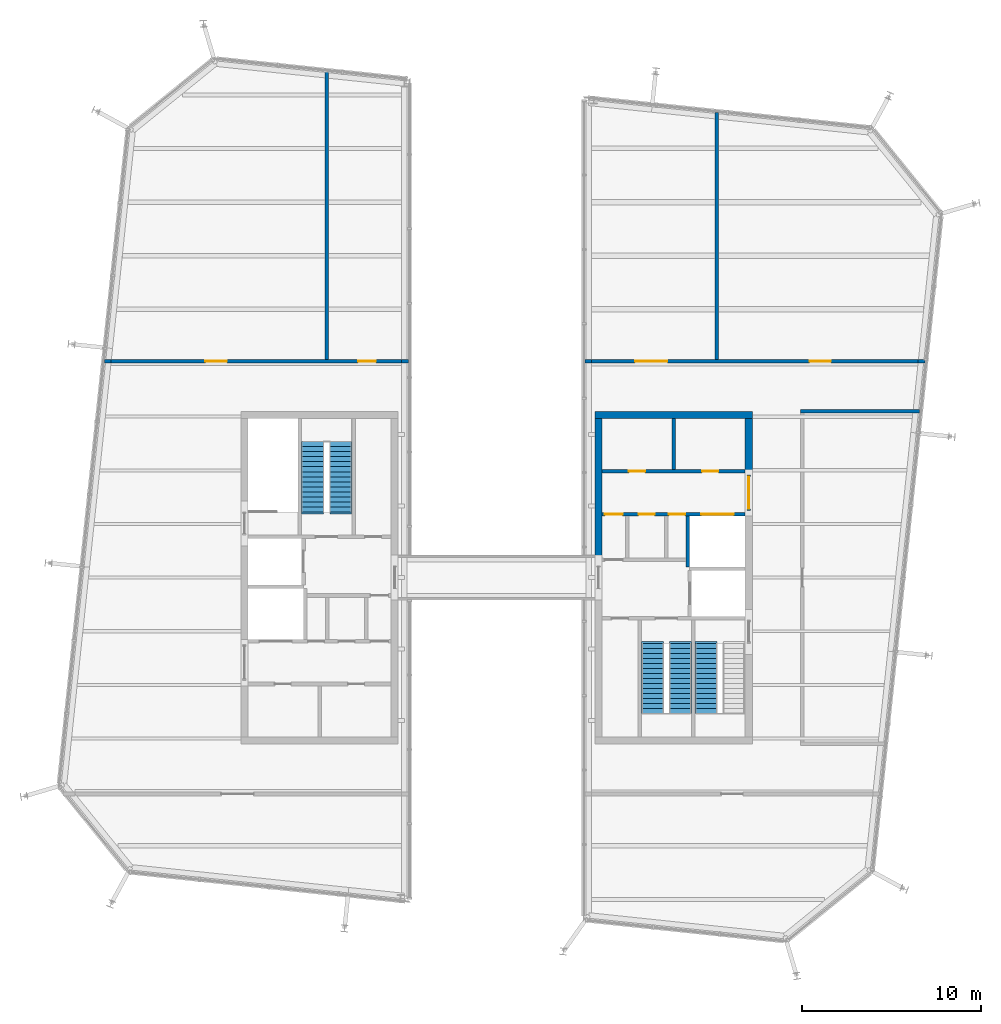
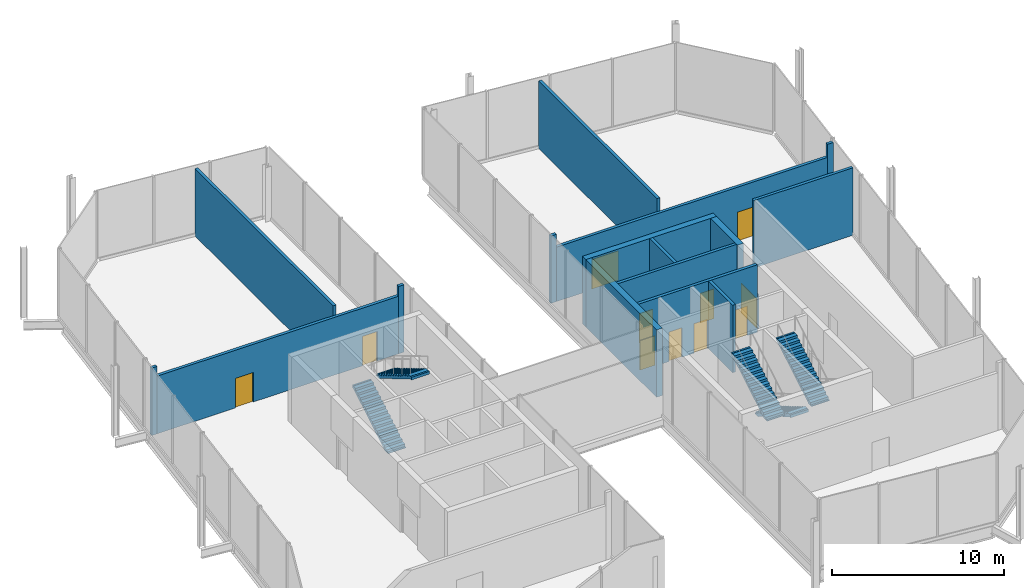
# One storey, part 10 of 12: 17 walls, 11 doors, 5 stair flights, 11 openings, 3 elements without a shape of their own.
"""IFC4 building model written with IfcOpenShell, lengths in metres."""

from ifc_helpers import new_model, si_unit, direction, frame, frame_2d, origin, place, context, subcontext, project, spatial, polyline, rectangle, outline, extrude, material, layer, layer_set, type_object, element, fill, aggregate, save


model = new_model("IFC4")

# Units and contexts
model_context = context("Model", 3, precision=1e-05, world=origin(), true_north=direction((0.0, 1.0)))
body_context = subcontext(model_context, "Body", "Model", "MODEL_VIEW")
ifc_project = project(units=[si_unit("LENGTHUNIT", "METRE"), si_unit("AREAUNIT", "SQUARE_METRE"), si_unit("VOLUMEUNIT", "CUBIC_METRE"), si_unit("PLANEANGLEUNIT", "RADIAN"), si_unit("MASSUNIT", "GRAM", prefix="KILO")], contexts=[model_context])

# Site, building, storey
site_placement = place(None, origin())
site = spatial("IfcSite", under=ifc_project, at=site_placement, CompositionType="ELEMENT")
building_placement = place(site_placement, origin())
building = spatial("IfcBuilding", under=site, at=building_placement, Name="Millrace Tower", CompositionType="ELEMENT")
storey_placement = place(building_placement, frame((0.0, 0.0, 347.10009765625)))
storey = spatial("IfcBuildingStorey", under=building, at=storey_placement, Name="L80", CompositionType="ELEMENT", Elevation=347.10009765625)

# Walls
ifc_material_1 = material(Name="Concrete C60", Category="concrete")
ifc_layer_1 = layer(ifc_material_1, 0.39990234375)
ifc_layer_set_1 = layer_set([ifc_layer_1], Name="Concrete C60")
wall_type_1 = type_object("IfcWallType", Name="Core wall 400 Concrete C60", PredefinedType="SHEAR", material=ifc_layer_set_1)
wall_1_placement = place(storey_placement, frame((14.300048828125, 9.10009765625, 0.0), z_axis=(0.0, 0.0, 1.0), x_axis=(-1.0, 0.0, 0.0)))
element("IfcWall", 1, at=wall_1_placement, inside=storey, type_object=wall_type_1, Name="Core wall E L80", PredefinedType="SHEAR", context=body_context, shape_type="SweptSolid", body=[
    extrude(rectangle(XDim=8.800048828125, YDim=0.39990234375, at=frame_2d((4.39990234375, 0.0))), origin(), (0.0, 0.0, 1.0), 4.7998046875),
])
wall_2_placement = place(storey_placement, frame((14.10009765625, 8.89990234375, 0.0), z_axis=(0.0, 0.0, 1.0), x_axis=(0.0, -1.0, 0.0)))
element("IfcWall", 2, at=wall_2_placement, inside=storey, type_object=wall_type_1, Name="Core wall E L80", PredefinedType="SHEAR", context=body_context, shape_type="SweptSolid", body=[
    extrude(rectangle(XDim=3.14990234375, YDim=0.39990234375, at=frame_2d((1.574951171875, 0.0))), origin(), (0.0, 0.0, 1.0), 4.7998046875),
])
wall_3_placement = place(storey_placement, frame((5.699951171875, 8.89990234375, 0.0), z_axis=(0.0, 0.0, 1.0), x_axis=(0.0, -1.0, 0.0)))
element("IfcWall", 3, at=wall_3_placement, inside=storey, type_object=wall_type_1, Name="Core wall E L80", PredefinedType="SHEAR", context=body_context, shape_type="SweptSolid", body=[
    extrude(rectangle(XDim=8.25, YDim=0.39990234375, at=frame_2d((4.125, 0.0))), origin(), (0.0, 0.0, 1.0), 4.7998046875),
])
ifc_material_2 = material(Name="Masonry partition, fire-rated", Category="masonry")
ifc_layer_2 = layer(ifc_material_2, 0.199951171875)
ifc_layer_set_2 = layer_set([ifc_layer_2], Name="Masonry partition, fire-rated")
wall_type_2 = type_object("IfcWallType", Name="Corridor wall 200", PredefinedType="PARTITIONING", material=ifc_layer_set_2)
wall_4_placement = place(storey_placement, frame((17.0, 9.300048828125, 0.0), z_axis=(0.0, 0.0, 1.0), x_axis=(1.0, 0.0, 0.0)))
element("IfcWall", 4, at=wall_4_placement, inside=storey, type_object=wall_type_2, Name="Corridor wall L80", PredefinedType="PARTITIONING", context=body_context, shape_type="SweptSolid", body=[
    extrude(rectangle(XDim=6.656005859375, YDim=0.199951171875, at=frame_2d((3.328125, 0.0))), origin(), (0.0, 0.0, 1.0), 4.7998046875),
])
wall_5_placement = place(storey_placement, frame((-21.921142578125, 12.10009765625, 0.0), z_axis=(0.0, 0.0, 1.0), x_axis=(1.0, 0.0, 0.0)))
element("IfcWall", 5, at=wall_5_placement, inside=storey, type_object=wall_type_2, Name="Corridor wall L80", PredefinedType="PARTITIONING", context=body_context, shape_type="SweptSolid", body=[
    extrude(rectangle(XDim=0.35888671875, YDim=0.199951171875, at=frame_2d((0.179443359375, 0.0))), origin(), (0.0, 0.0, 1.0), 4.7998046875),
])

# Wall, openings, doors
wall_6_placement = place(storey_placement, frame((-21.562255859375, 12.10009765625, 0.0), z_axis=(0.0, 0.0, 1.0), x_axis=(1.0, 0.0, 0.0)))
wall_6 = element("IfcWall", 6, at=wall_6_placement, inside=storey, type_object=wall_type_2, Name="Corridor wall L80", PredefinedType="PARTITIONING", context=body_context, shape_type="SweptSolid", body=[
    extrude(rectangle(XDim=16.2548828125, YDim=0.199951171875, at=frame_2d((8.12744140625, 0.0))), origin(), (0.0, 0.0, 1.0), 4.1064453125),
])
opening_1_placement = place(wall_6_placement, frame((5.27685546875, 0.0, 0.0)))
opening_1 = element("IfcOpeningElement", 7, at=opening_1_placement, cuts=wall_6, Name="Opening 80-P001", PredefinedType="OPENING", context=body_context, shape_type="SweptSolid", body=[
    extrude(rectangle(XDim=1.199951171875, YDim=2.10009765625, at=frame_2d((0.60009765625, 1.050048828125))), frame((0.0, 0.10986328125, 0.0), z_axis=(0.0, -1.0, 0.0), x_axis=(1.0, 0.0, 0.0)), (0.0, 0.0, 1.0), 0.219970703125),
])
opening_2_placement = place(wall_6_placement, frame((13.817138671875, 0.0, 0.0)))
opening_2 = element("IfcOpeningElement", 8, at=opening_2_placement, cuts=wall_6, Name="Opening 80-P002", PredefinedType="OPENING", context=body_context, shape_type="SweptSolid", body=[
    extrude(rectangle(XDim=1.0, YDim=2.10009765625, at=frame_2d((0.5, 1.050048828125))), frame((0.0, 0.10986328125, 0.0), z_axis=(0.0, -1.0, 0.0), x_axis=(1.0, 0.0, 0.0)), (0.0, 0.0, 1.0), 0.219970703125),
])
ifc_material_3 = material(Name="Steel door set, fire-rated", Category="steel")
door_type_1 = type_object("IfcDoorType", Name="Corridor door 1000 x 2100", OperationType="SINGLE_SWING_LEFT", PredefinedType="DOOR", material=ifc_material_3)
door_1_placement = place(opening_2_placement, origin())
door_1 = element("IfcDoor", 9, at=door_1_placement, inside=storey, type_object=door_type_1, Name="Door 80-P002", OperationType="SINGLE_SWING_RIGHT", OverallHeight=2.10009765625, OverallWidth=1.0, PredefinedType="DOOR", context=body_context, shape_type="SweptSolid", body=[
    extrude(rectangle(XDim=1.0, YDim=2.10009765625, at=frame_2d((0.5, 1.050048828125))), frame((0.0, 0.02490234375, 0.0), z_axis=(0.0, -1.0, 0.0), x_axis=(1.0, 0.0, 0.0)), (0.0, 0.0, 1.0), 0.050048828125),
])
fill(opening_2, door_1)
ifc_material_4 = material(Name="Steel door set, fire-rated", Category="steel")
door_type_2 = type_object("IfcDoorType", Name="Plant room door 1200 x 2100", OperationType="SINGLE_SWING_LEFT", PredefinedType="DOOR", material=ifc_material_4)
door_2_placement = place(opening_1_placement, origin())
door_2 = element("IfcDoor", 10, at=door_2_placement, inside=storey, type_object=door_type_2, Name="Door 80-P001", OperationType="SINGLE_SWING_LEFT", OverallHeight=2.10009765625, OverallWidth=1.199951171875, PredefinedType="DOOR", context=body_context, shape_type="SweptSolid", body=[
    extrude(rectangle(XDim=1.199951171875, YDim=2.10009765625, at=frame_2d((0.60009765625, 1.050048828125))), frame((0.0, 0.02490234375, 0.0), z_axis=(0.0, -1.0, 0.0), x_axis=(1.0, 0.0, 0.0)), (0.0, 0.0, 1.0), 0.050048828125),
])
fill(opening_1, door_2)

# Walls
for number, where, z_axis, x_axis, name in (
    (11, (-5.307373046875, 12.10009765625, 0.0), (0.0, 0.0, 1.0), (1.0, 0.0, 0.0), "Corridor wall L80"),
    (12, (4.93994140625, 12.10009765625, 0.0), (0.0, 0.0, 1.0), (1.0, 0.0, 0.0), "Corridor wall L80"),
):
    element("IfcWall", number, at=place(storey_placement, frame(where, z_axis=z_axis, x_axis=x_axis)), inside=storey, type_object=wall_type_2, Name=name, PredefinedType="PARTITIONING", context=body_context, shape_type="SweptSolid", body=[
        extrude(rectangle(XDim=0.367431640625, YDim=0.199951171875, at=frame_2d((0.18359375, 0.0))), origin(), (0.0, 0.0, 1.0), 4.7998046875),
    ])

# Wall, openings, doors
wall_7_placement = place(storey_placement, frame((5.307373046875, 12.10009765625, 0.0), z_axis=(0.0, 0.0, 1.0), x_axis=(1.0, 0.0, 0.0)))
wall_7 = element("IfcWall", 13, at=wall_7_placement, inside=storey, type_object=wall_type_2, Name="Corridor wall L80", PredefinedType="PARTITIONING", context=body_context, shape_type="SweptSolid", body=[
    extrude(rectangle(XDim=18.262939453125, YDim=0.199951171875, at=frame_2d((9.13134765625, 0.0))), origin(), (0.0, 0.0, 1.0), 3.872802734375),
])
opening_3_placement = place(wall_7_placement, frame((2.437744140625, 0.0, 0.0)))
opening_3 = element("IfcOpeningElement", 14, at=opening_3_placement, cuts=wall_7, Name="Opening 80-P004", PredefinedType="OPENING", context=body_context, shape_type="SweptSolid", body=[
    extrude(rectangle(XDim=1.800048828125, YDim=2.10009765625, at=frame_2d((0.89990234375, 1.050048828125))), frame((0.0, 0.10986328125, 0.0), z_axis=(0.0, -1.0, 0.0), x_axis=(1.0, 0.0, 0.0)), (0.0, 0.0, 1.0), 0.219970703125),
])
opening_4_placement = place(wall_7_placement, frame((12.192626953125, 0.0, 0.0)))
opening_4 = element("IfcOpeningElement", 15, at=opening_4_placement, cuts=wall_7, Name="Opening 80-P005", PredefinedType="OPENING", context=body_context, shape_type="SweptSolid", body=[
    extrude(rectangle(XDim=1.199951171875, YDim=2.10009765625, at=frame_2d((0.60009765625, 1.050048828125))), frame((0.0, 0.10986328125, 0.0), z_axis=(0.0, -1.0, 0.0), x_axis=(1.0, 0.0, 0.0)), (0.0, 0.0, 1.0), 0.219970703125),
])
ifc_material_5 = material(Name="Steel door set, fire-rated", Category="steel")
door_type_3 = type_object("IfcDoorType", Name="Corridor door 1800 x 2100", OperationType="DOUBLE_DOOR_SINGLE_SWING", PredefinedType="DOOR", material=ifc_material_5)
door_3_placement = place(opening_3_placement, origin())
door_3 = element("IfcDoor", 16, at=door_3_placement, inside=storey, type_object=door_type_3, Name="Door 80-P004", OperationType="DOUBLE_DOOR_SINGLE_SWING", OverallHeight=2.10009765625, OverallWidth=1.800048828125, PredefinedType="DOOR", context=body_context, shape_type="SweptSolid", body=[
    extrude(rectangle(XDim=1.800048828125, YDim=2.10009765625, at=frame_2d((0.89990234375, 1.050048828125))), frame((0.0, 0.02490234375, 0.0), z_axis=(0.0, -1.0, 0.0), x_axis=(1.0, 0.0, 0.0)), (0.0, 0.0, 1.0), 0.050048828125),
])
fill(opening_3, door_3)
door_4_placement = place(opening_4_placement, origin())
door_4 = element("IfcDoor", 17, at=door_4_placement, inside=storey, type_object=door_type_2, Name="Door 80-P005", OperationType="SINGLE_SWING_RIGHT", OverallHeight=2.10009765625, OverallWidth=1.199951171875, PredefinedType="DOOR", context=body_context, shape_type="SweptSolid", body=[
    extrude(rectangle(XDim=1.199951171875, YDim=2.10009765625, at=frame_2d((0.60009765625, 1.050048828125))), frame((0.0, 0.02490234375, 0.0), z_axis=(0.0, -1.0, 0.0), x_axis=(1.0, 0.0, 0.0)), (0.0, 0.0, 1.0), 0.050048828125),
])
fill(opening_4, door_4)

# Walls
wall_8_placement = place(storey_placement, frame((23.5703125, 12.10009765625, 0.0), z_axis=(0.0, 0.0, 1.0), x_axis=(1.0, 0.0, 0.0)))
element("IfcWall", 18, at=wall_8_placement, inside=storey, type_object=wall_type_2, Name="Corridor wall L80", PredefinedType="PARTITIONING", context=body_context, shape_type="SweptSolid", body=[
    extrude(rectangle(XDim=0.3798828125, YDim=0.199951171875, at=frame_2d((0.18994140625, 0.0))), origin(), (0.0, 0.0, 1.0), 4.7998046875),
])
wall_9_placement = place(storey_placement, frame((12.300048828125, 12.199951171875, 0.0), z_axis=(0.0, 0.0, 1.0), x_axis=(0.0, 1.0, 0.0)))
element("IfcWall", 19, at=wall_9_placement, inside=storey, type_object=wall_type_2, Name="Corridor wall L80", PredefinedType="PARTITIONING", context=body_context, shape_type="SweptSolid", body=[
    extrude(rectangle(XDim=13.81396484375, YDim=0.199951171875, at=frame_2d((6.906982421875, 0.0))), origin(), (0.0, 0.0, 1.0), 4.7998046875),
])
wall_10_placement = place(storey_placement, frame((-9.5, 12.199951171875, 0.0), z_axis=(0.0, 0.0, 1.0), x_axis=(0.0, 1.0, 0.0)))
element("IfcWall", 20, at=wall_10_placement, inside=storey, type_object=wall_type_2, Name="Corridor wall L80", PredefinedType="PARTITIONING", context=body_context, shape_type="SweptSolid", body=[
    extrude(rectangle(XDim=16.105224609375, YDim=0.199951171875, at=frame_2d((8.052734375, 0.0))), origin(), (0.0, 0.0, 1.0), 4.7998046875),
])

# Wall, openings, doors
ifc_material_6 = material(Name="Masonry partition, fire-rated", Category="masonry")
ifc_layer_3 = layer(ifc_material_6, 0.199951171875)
ifc_layer_set_3 = layer_set([ifc_layer_3], Name="Masonry partition, fire-rated")
wall_type_3 = type_object("IfcWallType", Name="Lift shaft wall 200", PredefinedType="PARTITIONING", material=ifc_layer_set_3)
wall_11_placement = place(storey_placement, frame((13.89990234375, 5.949951171875, 0.0), z_axis=(0.0, 0.0, 1.0), x_axis=(-1.0, 0.0, 0.0)))
wall_11 = element("IfcWall", 21, at=wall_11_placement, inside=storey, type_object=wall_type_3, Name="Lift shaft wall E L80", PredefinedType="PARTITIONING", context=body_context, shape_type="SweptSolid", body=[
    extrude(rectangle(XDim=8.0, YDim=0.199951171875, at=frame_2d((4.0, 0.0))), origin(), (0.0, 0.0, 1.0), 4.7998046875),
])
opening_5_placement = place(wall_11_placement, frame((1.5, 0.0, 0.0)))
opening_5 = element("IfcOpeningElement", 22, at=opening_5_placement, cuts=wall_11, Name="Opening 80-C015", PredefinedType="OPENING", context=body_context, shape_type="SweptSolid", body=[
    extrude(rectangle(XDim=0.89990234375, YDim=2.10009765625, at=frame_2d((0.449951171875, 1.050048828125))), frame((0.0, 0.10986328125, 0.0), z_axis=(0.0, -1.0, 0.0), x_axis=(1.0, 0.0, 0.0)), (0.0, 0.0, 1.0), 0.219970703125),
])
opening_6_placement = place(wall_11_placement, frame((5.60009765625, 0.0, 0.0)))
opening_6 = element("IfcOpeningElement", 23, at=opening_6_placement, cuts=wall_11, Name="Opening 80-C016", PredefinedType="OPENING", context=body_context, shape_type="SweptSolid", body=[
    extrude(rectangle(XDim=0.89990234375, YDim=2.10009765625, at=frame_2d((0.449951171875, 1.050048828125))), frame((0.0, 0.10986328125, 0.0), z_axis=(0.0, -1.0, 0.0), x_axis=(1.0, 0.0, 0.0)), (0.0, 0.0, 1.0), 0.219970703125),
])
ifc_material_7 = material(Name="Steel door, fire-rated", Category="steel")
door_type_4 = type_object("IfcDoorType", Name="Service room door 900 x 2100", OperationType="SINGLE_SWING_LEFT", PredefinedType="DOOR", material=ifc_material_7)
door_5_placement = place(opening_5_placement, frame((0.89990234375, 0.0, 0.0), z_axis=(0.0, 0.0, 1.0), x_axis=(-1.0, 0.0, 0.0)))
door_5 = element("IfcDoor", 24, at=door_5_placement, inside=storey, type_object=door_type_4, Name="Service room door 80-C015", OperationType="SINGLE_SWING_RIGHT", OverallHeight=2.10009765625, OverallWidth=0.89990234375, PredefinedType="DOOR", context=body_context, shape_type="SweptSolid", body=[
    extrude(rectangle(XDim=0.89990234375, YDim=2.10009765625, at=frame_2d((0.449951171875, 1.050048828125))), frame((0.0, 0.02490234375, 0.0), z_axis=(0.0, -1.0, 0.0), x_axis=(1.0, 0.0, 0.0)), (0.0, 0.0, 1.0), 0.050048828125),
])
fill(opening_5, door_5)
door_6_placement = place(opening_6_placement, frame((0.89990234375, 0.0, 0.0), z_axis=(0.0, 0.0, 1.0), x_axis=(-1.0, 0.0, 0.0)))
door_6 = element("IfcDoor", 25, at=door_6_placement, inside=storey, type_object=door_type_4, Name="Service room door 80-C016", OperationType="SINGLE_SWING_LEFT", OverallHeight=2.10009765625, OverallWidth=0.89990234375, PredefinedType="DOOR", context=body_context, shape_type="SweptSolid", body=[
    extrude(rectangle(XDim=0.89990234375, YDim=2.10009765625, at=frame_2d((0.449951171875, 1.050048828125))), frame((0.0, 0.02490234375, 0.0), z_axis=(0.0, -1.0, 0.0), x_axis=(1.0, 0.0, 0.0)), (0.0, 0.0, 1.0), 0.050048828125),
])
fill(opening_6, door_6)

wall_12_placement = place(storey_placement, frame((13.89990234375, 3.550048828125, 0.0), z_axis=(0.0, 0.0, 1.0), x_axis=(-1.0, 0.0, 0.0)))
wall_12 = element("IfcWall", 26, at=wall_12_placement, inside=storey, type_object=wall_type_3, Name="Lift shaft wall E L80", PredefinedType="PARTITIONING", context=body_context, shape_type="SweptSolid", body=[
    extrude(rectangle(XDim=8.0, YDim=0.199951171875, at=frame_2d((4.0, 0.0))), origin(), (0.0, 0.0, 1.0), 4.7998046875),
])
opening_7_placement = place(wall_12_placement, frame((0.64990234375, 0.0, 0.0)))
opening_7 = element("IfcOpeningElement", 27, at=opening_7_placement, cuts=wall_12, Name="Opening 80-LD13", PredefinedType="OPENING", context=body_context, shape_type="SweptSolid", body=[
    extrude(rectangle(XDim=1.800048828125, YDim=2.10009765625, at=frame_2d((0.89990234375, 1.050048828125))), frame((0.0, 0.10986328125, 0.0), z_axis=(0.0, -1.0, 0.0), x_axis=(1.0, 0.0, 0.0)), (0.0, 0.0, 1.0), 0.219970703125),
])
opening_8_placement = place(wall_12_placement, frame((3.360107421875, 0.0, 0.0)))
opening_8 = element("IfcOpeningElement", 28, at=opening_8_placement, cuts=wall_12, Name="Opening 80-C017", PredefinedType="OPENING", context=body_context, shape_type="SweptSolid", body=[
    extrude(rectangle(XDim=0.89990234375, YDim=2.10009765625, at=frame_2d((0.449951171875, 1.050048828125))), frame((0.0, 0.10986328125, 0.0), z_axis=(0.0, -1.0, 0.0), x_axis=(1.0, 0.0, 0.0)), (0.0, 0.0, 1.0), 0.219970703125),
])
opening_9_placement = place(wall_12_placement, frame((5.06005859375, 0.0, 0.0)))
opening_9 = element("IfcOpeningElement", 29, at=opening_9_placement, cuts=wall_12, Name="Opening 80-C018", PredefinedType="OPENING", context=body_context, shape_type="SweptSolid", body=[
    extrude(rectangle(XDim=0.89990234375, YDim=2.10009765625, at=frame_2d((0.449951171875, 1.050048828125))), frame((0.0, 0.10986328125, 0.0), z_axis=(0.0, -1.0, 0.0), x_axis=(1.0, 0.0, 0.0)), (0.0, 0.0, 1.0), 0.219970703125),
])
opening_10_placement = place(wall_12_placement, frame((6.85009765625, 0.0, 0.0)))
opening_10 = element("IfcOpeningElement", 30, at=opening_10_placement, cuts=wall_12, Name="Opening 80-C019", PredefinedType="OPENING", context=body_context, shape_type="SweptSolid", body=[
    extrude(rectangle(XDim=1.0, YDim=2.10009765625, at=frame_2d((0.5, 1.050048828125))), frame((0.0, 0.10986328125, 0.0), z_axis=(0.0, -1.0, 0.0), x_axis=(1.0, 0.0, 0.0)), (0.0, 0.0, 1.0), 0.219970703125),
])
ifc_material_8 = material(Name="Stainless steel, fire-rated", Category="steel")
door_type_5 = type_object("IfcDoorType", Name="Lift landing door 1800 x 2100", OperationType="DOUBLE_DOOR_SLIDING", PredefinedType="DOOR", material=ifc_material_8)
door_7_placement = place(opening_7_placement, origin())
door_7 = element("IfcDoor", 31, at=door_7_placement, inside=storey, type_object=door_type_5, Name="Lift landing door LF13 L80", OperationType="DOUBLE_DOOR_SLIDING", OverallHeight=2.10009765625, OverallWidth=1.800048828125, PredefinedType="DOOR", context=body_context, shape_type="SweptSolid", body=[
    extrude(rectangle(XDim=1.800048828125, YDim=2.10009765625, at=frame_2d((0.89990234375, 1.050048828125))), frame((0.0, 0.02490234375, 0.0), z_axis=(0.0, -1.0, 0.0), x_axis=(1.0, 0.0, 0.0)), (0.0, 0.0, 1.0), 0.050048828125),
])
fill(opening_7, door_7)
ifc_material_9 = material(Name="Steel door, fire-rated", Category="steel")
door_type_6 = type_object("IfcDoorType", Name="Lobby door 1000 x 2100", OperationType="SINGLE_SWING_LEFT", PredefinedType="DOOR", material=ifc_material_9)
door_8_placement = place(opening_10_placement, origin())
door_8 = element("IfcDoor", 32, at=door_8_placement, inside=storey, type_object=door_type_6, Name="Lobby door 80-C019", OperationType="SINGLE_SWING_LEFT", OverallHeight=2.10009765625, OverallWidth=1.0, PredefinedType="DOOR", context=body_context, shape_type="SweptSolid", body=[
    extrude(rectangle(XDim=1.0, YDim=2.10009765625, at=frame_2d((0.5, 1.050048828125))), frame((0.0, 0.02490234375, 0.0), z_axis=(0.0, -1.0, 0.0), x_axis=(1.0, 0.0, 0.0)), (0.0, 0.0, 1.0), 0.050048828125),
])
fill(opening_10, door_8)
door_9_placement = place(opening_8_placement, origin())
door_9 = element("IfcDoor", 33, at=door_9_placement, inside=storey, type_object=door_type_4, Name="Service room door 80-C017", OperationType="SINGLE_SWING_LEFT", OverallHeight=2.10009765625, OverallWidth=0.89990234375, PredefinedType="DOOR", context=body_context, shape_type="SweptSolid", body=[
    extrude(rectangle(XDim=0.89990234375, YDim=2.10009765625, at=frame_2d((0.449951171875, 1.050048828125))), frame((0.0, 0.02490234375, 0.0), z_axis=(0.0, -1.0, 0.0), x_axis=(1.0, 0.0, 0.0)), (0.0, 0.0, 1.0), 0.050048828125),
])
fill(opening_8, door_9)
door_10_placement = place(opening_9_placement, origin())
door_10 = element("IfcDoor", 34, at=door_10_placement, inside=storey, type_object=door_type_4, Name="Service room door 80-C018", OperationType="SINGLE_SWING_RIGHT", OverallHeight=2.10009765625, OverallWidth=0.89990234375, PredefinedType="DOOR", context=body_context, shape_type="SweptSolid", body=[
    extrude(rectangle(XDim=0.89990234375, YDim=2.10009765625, at=frame_2d((0.449951171875, 1.050048828125))), frame((0.0, 0.02490234375, 0.0), z_axis=(0.0, -1.0, 0.0), x_axis=(1.0, 0.0, 0.0)), (0.0, 0.0, 1.0), 0.050048828125),
])
fill(opening_9, door_10)

# Wall
wall_13_placement = place(storey_placement, frame((10.699951171875, 3.449951171875, 0.0), z_axis=(0.0, 0.0, 1.0), x_axis=(0.0, -1.0, 0.0)))
element("IfcWall", 35, at=wall_13_placement, inside=storey, type_object=wall_type_3, Name="Lift shaft wall E L80", PredefinedType="PARTITIONING", context=body_context, shape_type="SweptSolid", body=[
    extrude(rectangle(XDim=2.849853515625, YDim=0.199951171875, at=frame_2d((1.4248046875, 0.0))), origin(), (0.0, 0.0, 1.0), 4.7998046875),
])

# Wall, opening, door
ifc_material_10 = material(Name="Masonry partition, fire-rated", Category="masonry")
ifc_layer_4 = layer(ifc_material_10, 0.199951171875)
ifc_layer_set_4 = layer_set([ifc_layer_4], Name="Masonry partition, fire-rated")
wall_type_4 = type_object("IfcWallType", Name="Lobby wall 200", PredefinedType="PARTITIONING", material=ifc_layer_set_4)
wall_14_placement = place(storey_placement, frame((14.10009765625, 5.75, 0.0), z_axis=(0.0, 0.0, 1.0), x_axis=(0.0, -1.0, 0.0)))
wall_14 = element("IfcWall", 36, at=wall_14_placement, inside=storey, type_object=wall_type_4, Name="Lobby wall E L80", PredefinedType="PARTITIONING", context=body_context, shape_type="SweptSolid", body=[
    extrude(rectangle(XDim=2.0, YDim=0.199951171875, at=frame_2d((1.0, 0.0))), origin(), (0.0, 0.0, 1.0), 2.39990234375),
])
opening_11_placement = place(wall_14_placement, frame((0.10009765625, 0.0, 0.0)))
opening_11 = element("IfcOpeningElement", 37, at=opening_11_placement, cuts=wall_14, Name="Opening 80-C012", PredefinedType="OPENING", context=body_context, shape_type="SweptSolid", body=[
    extrude(rectangle(XDim=1.800048828125, YDim=2.10009765625, at=frame_2d((0.89990234375, 1.050048828125))), frame((0.0, 0.10986328125, 0.0), z_axis=(0.0, -1.0, 0.0), x_axis=(1.0, 0.0, 0.0)), (0.0, 0.0, 1.0), 0.219970703125),
])
ifc_material_11 = material(Name="Steel door, fire-rated", Category="steel")
door_type_7 = type_object("IfcDoorType", Name="Lobby door 1800 x 2100", OperationType="DOUBLE_DOOR_SINGLE_SWING", PredefinedType="DOOR", material=ifc_material_11)
door_11_placement = place(opening_11_placement, origin())
door_11 = element("IfcDoor", 38, at=door_11_placement, inside=storey, type_object=door_type_7, Name="Lobby door 80-C012", OperationType="DOUBLE_DOOR_SINGLE_SWING", OverallHeight=2.10009765625, OverallWidth=1.800048828125, PredefinedType="DOOR", context=body_context, shape_type="SweptSolid", body=[
    extrude(rectangle(XDim=1.800048828125, YDim=2.10009765625, at=frame_2d((0.89990234375, 1.050048828125))), frame((0.0, 0.02490234375, 0.0), z_axis=(0.0, -1.0, 0.0), x_axis=(1.0, 0.0, 0.0)), (0.0, 0.0, 1.0), 0.050048828125),
])
fill(opening_11, door_11)

# Wall
ifc_material_12 = material(Name="Masonry partition, fire-rated", Category="masonry")
ifc_layer_5 = layer(ifc_material_12, 0.199951171875)
ifc_layer_set_5 = layer_set([ifc_layer_5], Name="Masonry partition, fire-rated")
wall_type_5 = type_object("IfcWallType", Name="Room partition 200", PredefinedType="PARTITIONING", material=ifc_layer_set_5)
wall_15_placement = place(storey_placement, frame((9.89990234375, 8.89990234375, 0.0), z_axis=(0.0, 0.0, 1.0), x_axis=(0.0, -1.0, 0.0)))
element("IfcWall", 39, at=wall_15_placement, inside=storey, type_object=wall_type_5, Name="Room partition E L80", PredefinedType="PARTITIONING", context=body_context, shape_type="SweptSolid", body=[
    extrude(rectangle(XDim=2.849853515625, YDim=0.199951171875, at=frame_2d((1.4248046875, 0.0))), origin(), (0.0, 0.0, 1.0), 4.7998046875),
])

# Stair, stair flights
ifc_material_13 = material(Name="Concrete C35", Category="concrete")
stair_type = type_object("IfcStairType", Name="Exit stair", PredefinedType="HALF_TURN_STAIR", material=ifc_material_13)
placement = place(storey_placement, origin())
stair_1 = element("IfcStair", 40, at=placement, inside=storey, type_object=stair_type, Name="Stair 2 W L80", PredefinedType="HALF_TURN_STAIR")
ifc_material_14 = material(Name="Concrete C35", Category="concrete")
stair_flight_type = type_object("IfcStairFlightType", Name="Exit stair flight", PredefinedType="STRAIGHT", material=ifc_material_14)
stair_flight_1_placement = place(storey_placement, frame((-10.2900390625, 3.679931640625, 0.0), z_axis=(0.0, 0.0, 1.0), x_axis=(0.0, 1.0, 0.0)))
stair_flight_1 = element("IfcStairFlight", 41, at=stair_flight_1_placement, type_object=stair_flight_type, Name="ST12 flight 1", NumberOfRisers=15, NumberOfTreads=14, PredefinedType="STRAIGHT", RiserHeight=0.166666667, TreadLength=0.28, context=body_context, shape_type="SweptSolid", body=[
    extrude(outline(polyline([(-0.1201171875, -0.0400390625), (-0.1201171875, 0.0), (0.0, 0.0), (0.0, 0.166748046875), (0.280029296875, 0.166748046875), (0.280029296875, 0.333251953125), (0.56005859375, 0.333251953125), (0.56005859375, 0.5), (0.840087890625, 0.5), (0.840087890625, 0.666748046875), (1.1201171875, 0.666748046875), (1.1201171875, 0.833251953125), (1.39990234375, 0.833251953125), (1.39990234375, 1.0), (1.679931640625, 1.0), (1.679931640625, 1.166748046875), (1.9599609375, 1.166748046875), (1.9599609375, 1.333251953125), (2.239990234375, 1.333251953125), (2.239990234375, 1.5), (2.52001953125, 1.5), (2.52001953125, 1.666748046875), (2.800048828125, 1.666748046875), (2.800048828125, 1.833251953125), (3.080078125, 1.833251953125), (3.080078125, 2.0), (3.360107421875, 2.0), (3.360107421875, 2.166748046875), (3.639892578125, 2.166748046875), (3.639892578125, 2.333251953125), (3.919921875, 2.333251953125), (3.919921875, 2.353271484375), (4.0400390625, 2.353271484375), (4.0400390625, 2.158935546875), (3.919921875, 2.158935546875), (0.29296875, 0.0), (0.29296875, -0.0400390625), (-0.1201171875, -0.0400390625)])), frame((0.0, 0.60986328125, 0.0), z_axis=(0.0, -1.0, 0.0), x_axis=(1.0, 0.0, 0.0)), (0.0, 0.0, 1.0), 1.219970703125),
])
stair_flight_2_placement = place(storey_placement, frame((-8.7099609375, 7.60009765625, 2.5), z_axis=(0.0, 0.0, 1.0), x_axis=(0.0, -1.0, 0.0)))
stair_flight_2 = element("IfcStairFlight", 42, at=stair_flight_2_placement, type_object=stair_flight_type, Name="ST12 flight 2", NumberOfRisers=15, NumberOfTreads=14, PredefinedType="STRAIGHT", RiserHeight=0.166666667, TreadLength=0.28, context=body_context, shape_type="SweptSolid", body=[
    extrude(outline(polyline([(-0.1201171875, -0.0400390625), (-0.1201171875, 0.0), (0.0, 0.0), (0.0, 0.166748046875), (0.280029296875, 0.166748046875), (0.280029296875, 0.333251953125), (0.56005859375, 0.333251953125), (0.56005859375, 0.5), (0.840087890625, 0.5), (0.840087890625, 0.666748046875), (1.1201171875, 0.666748046875), (1.1201171875, 0.833251953125), (1.39990234375, 0.833251953125), (1.39990234375, 1.0), (1.679931640625, 1.0), (1.679931640625, 1.166748046875), (1.9599609375, 1.166748046875), (1.9599609375, 1.333251953125), (2.239990234375, 1.333251953125), (2.239990234375, 1.5), (2.52001953125, 1.5), (2.52001953125, 1.666748046875), (2.800048828125, 1.666748046875), (2.800048828125, 1.833251953125), (3.080078125, 1.833251953125), (3.080078125, 2.0), (3.360107421875, 2.0), (3.360107421875, 2.166748046875), (3.639892578125, 2.166748046875), (3.639892578125, 2.333251953125), (3.919921875, 2.333251953125), (3.919921875, 2.353271484375), (4.0400390625, 2.353271484375), (4.0400390625, 2.158935546875), (3.919921875, 2.158935546875), (0.29296875, 0.0), (0.29296875, -0.0400390625), (-0.1201171875, -0.0400390625)])), frame((0.0, 0.60986328125, 0.0), z_axis=(0.0, -1.0, 0.0), x_axis=(1.0, 0.0, 0.0)), (0.0, 0.0, 1.0), 1.219970703125),
])
aggregate(stair_1, [stair_flight_1, stair_flight_2])

# Stair, stair flight
stair_2 = element("IfcStair", 43, at=placement, inside=storey, type_object=stair_type, Name="Stair 1 E L80", PredefinedType="HALF_TURN_STAIR")
stair_flight_3_placement = place(storey_placement, frame((11.7099609375, -7.60009765625, 2.5), z_axis=(0.0, 0.0, 1.0), x_axis=(0.0, 1.0, 0.0)))
stair_flight_3 = element("IfcStairFlight", 44, at=stair_flight_3_placement, type_object=stair_flight_type, Name="ST12 flight 2", NumberOfRisers=15, NumberOfTreads=14, PredefinedType="STRAIGHT", RiserHeight=0.166666667, TreadLength=0.28, context=body_context, shape_type="SweptSolid", body=[
    extrude(outline(polyline([(-0.1201171875, -0.0400390625), (-0.1201171875, 0.0), (0.0, 0.0), (0.0, 0.166748046875), (0.280029296875, 0.166748046875), (0.280029296875, 0.333251953125), (0.56005859375, 0.333251953125), (0.56005859375, 0.5), (0.840087890625, 0.5), (0.840087890625, 0.666748046875), (1.1201171875, 0.666748046875), (1.1201171875, 0.833251953125), (1.39990234375, 0.833251953125), (1.39990234375, 1.0), (1.679931640625, 1.0), (1.679931640625, 1.166748046875), (1.9599609375, 1.166748046875), (1.9599609375, 1.333251953125), (2.239990234375, 1.333251953125), (2.239990234375, 1.5), (2.52001953125, 1.5), (2.52001953125, 1.666748046875), (2.800048828125, 1.666748046875), (2.800048828125, 1.833251953125), (3.080078125, 1.833251953125), (3.080078125, 2.0), (3.360107421875, 2.0), (3.360107421875, 2.166748046875), (3.639892578125, 2.166748046875), (3.639892578125, 2.333251953125), (3.919921875, 2.333251953125), (3.919921875, 2.353271484375), (4.0400390625, 2.353271484375), (4.0400390625, 2.158935546875), (3.919921875, 2.158935546875), (0.29296875, 0.0), (0.29296875, -0.0400390625), (-0.1201171875, -0.0400390625)])), frame((0.0, 0.60986328125, 0.0), z_axis=(0.0, -1.0, 0.0), x_axis=(1.0, 0.0, 0.0)), (0.0, 0.0, 1.0), 1.219970703125),
])
aggregate(stair_2, [stair_flight_3])

# Stair, stair flights
stair_3 = element("IfcStair", 45, at=placement, inside=storey, type_object=stair_type, Name="Stair 2 E L80", PredefinedType="HALF_TURN_STAIR")
stair_flight_4_placement = place(storey_placement, frame((10.2900390625, -3.679931640625, 0.0), z_axis=(0.0, 0.0, 1.0), x_axis=(0.0, -1.0, 0.0)))
stair_flight_4 = element("IfcStairFlight", 46, at=stair_flight_4_placement, type_object=stair_flight_type, Name="ST12 flight 1", NumberOfRisers=15, NumberOfTreads=14, PredefinedType="STRAIGHT", RiserHeight=0.166666667, TreadLength=0.28, context=body_context, shape_type="SweptSolid", body=[
    extrude(outline(polyline([(-0.1201171875, -0.0400390625), (-0.1201171875, 0.0), (0.0, 0.0), (0.0, 0.166748046875), (0.280029296875, 0.166748046875), (0.280029296875, 0.333251953125), (0.56005859375, 0.333251953125), (0.56005859375, 0.5), (0.840087890625, 0.5), (0.840087890625, 0.666748046875), (1.1201171875, 0.666748046875), (1.1201171875, 0.833251953125), (1.39990234375, 0.833251953125), (1.39990234375, 1.0), (1.679931640625, 1.0), (1.679931640625, 1.166748046875), (1.9599609375, 1.166748046875), (1.9599609375, 1.333251953125), (2.239990234375, 1.333251953125), (2.239990234375, 1.5), (2.52001953125, 1.5), (2.52001953125, 1.666748046875), (2.800048828125, 1.666748046875), (2.800048828125, 1.833251953125), (3.080078125, 1.833251953125), (3.080078125, 2.0), (3.360107421875, 2.0), (3.360107421875, 2.166748046875), (3.639892578125, 2.166748046875), (3.639892578125, 2.333251953125), (3.919921875, 2.333251953125), (3.919921875, 2.353271484375), (4.0400390625, 2.353271484375), (4.0400390625, 2.158935546875), (3.919921875, 2.158935546875), (0.29296875, 0.0), (0.29296875, -0.0400390625), (-0.1201171875, -0.0400390625)])), frame((0.0, 0.60986328125, 0.0), z_axis=(0.0, -1.0, 0.0), x_axis=(1.0, 0.0, 0.0)), (0.0, 0.0, 1.0), 1.219970703125),
])
stair_flight_5_placement = place(storey_placement, frame((8.7099609375, -7.60009765625, 2.5), z_axis=(0.0, 0.0, 1.0), x_axis=(0.0, 1.0, 0.0)))
stair_flight_5 = element("IfcStairFlight", 47, at=stair_flight_5_placement, type_object=stair_flight_type, Name="ST12 flight 2", NumberOfRisers=15, NumberOfTreads=14, PredefinedType="STRAIGHT", RiserHeight=0.166666667, TreadLength=0.28, context=body_context, shape_type="SweptSolid", body=[
    extrude(outline(polyline([(-0.1201171875, -0.0400390625), (-0.1201171875, 0.0), (0.0, 0.0), (0.0, 0.166748046875), (0.280029296875, 0.166748046875), (0.280029296875, 0.333251953125), (0.56005859375, 0.333251953125), (0.56005859375, 0.5), (0.840087890625, 0.5), (0.840087890625, 0.666748046875), (1.1201171875, 0.666748046875), (1.1201171875, 0.833251953125), (1.39990234375, 0.833251953125), (1.39990234375, 1.0), (1.679931640625, 1.0), (1.679931640625, 1.166748046875), (1.9599609375, 1.166748046875), (1.9599609375, 1.333251953125), (2.239990234375, 1.333251953125), (2.239990234375, 1.5), (2.52001953125, 1.5), (2.52001953125, 1.666748046875), (2.800048828125, 1.666748046875), (2.800048828125, 1.833251953125), (3.080078125, 1.833251953125), (3.080078125, 2.0), (3.360107421875, 2.0), (3.360107421875, 2.166748046875), (3.639892578125, 2.166748046875), (3.639892578125, 2.333251953125), (3.919921875, 2.333251953125), (3.919921875, 2.353271484375), (4.0400390625, 2.353271484375), (4.0400390625, 2.158935546875), (3.919921875, 2.158935546875), (0.29296875, 0.0), (0.29296875, -0.0400390625), (-0.1201171875, -0.0400390625)])), frame((0.0, 0.60986328125, 0.0), z_axis=(0.0, -1.0, 0.0), x_axis=(1.0, 0.0, 0.0)), (0.0, 0.0, 1.0), 1.219970703125),
])
aggregate(stair_3, [stair_flight_4, stair_flight_5])

save(model, "model.ifc")
